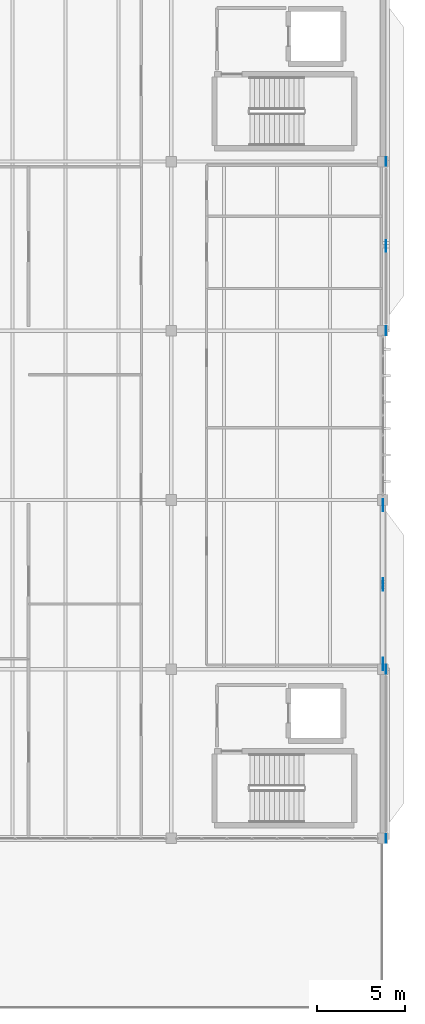
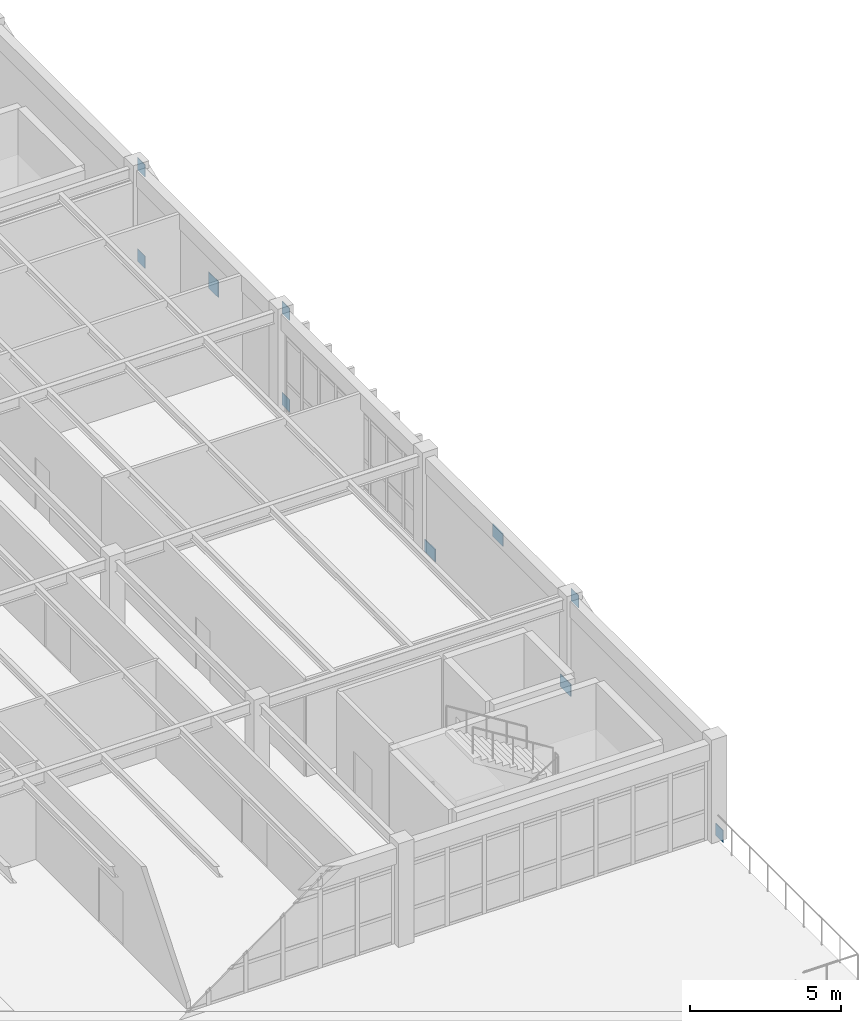
# One storey, part 30 of 37: 10 plates.
"""IFC4 building model written with IfcOpenShell, lengths in metres."""

from ifc_helpers import new_model, si_unit, direction, frame, origin, origin_2d, place, context, subcontext, project, spatial, rectangle, extrude, material, layer, layer_set, type_object, element, save


model = new_model("IFC4")

# Units and contexts
model_context = context("Model", 3, precision=1e-05, world=origin(), true_north=direction((0.0, 1.0)))
body_context = subcontext(model_context, "Body", "Model", "MODEL_VIEW")
ifc_project = project(units=[si_unit("LENGTHUNIT", "METRE"), si_unit("AREAUNIT", "SQUARE_METRE"), si_unit("VOLUMEUNIT", "CUBIC_METRE"), si_unit("PLANEANGLEUNIT", "RADIAN"), si_unit("MASSUNIT", "GRAM", prefix="KILO")], contexts=[model_context])

# Site, building, storey
site_placement = place(None, origin())
site = spatial("IfcSite", under=ifc_project, at=site_placement, CompositionType="ELEMENT")
building_placement = place(site_placement, origin())
building = spatial("IfcBuilding", under=site, at=building_placement, Name="Pandanus Reach Market Hall", CompositionType="ELEMENT")
storey_placement = place(building_placement, frame((0.0, 0.0, 14.39990234375)))
storey = spatial("IfcBuildingStorey", under=building, at=storey_placement, Name="L03", CompositionType="ELEMENT", Elevation=14.39990234375)

# Plates
ifc_material = material(Name="Steel Grade 350 (350 MPa)", Category="steel")
ifc_layer_1 = layer(ifc_material, 0.02001953125, Name="GS-PL20")
ifc_layer_set_1 = layer_set([ifc_layer_1], Name="Steel Grade 350 (350 MPa)")
plate_type_1 = type_object("IfcPlateType", Name="GS-PL20", PredefinedType="SHEET", material=ifc_layer_set_1)
for number, where, z_axis, x_axis, name in (
    (1, (180.179931640625, 28.800048828125, -0.14990234375), (0.0, 0.0, 1.0), (1.0, 0.0, 0.0), "Diagrid rib end anchorage plate GS-PL20 5A"),
    (2, (180.179931640625, 38.39990234375, 3.550048828125), (0.0, 0.0, 1.0), (1.0, 0.0, 0.0), "Diagrid rib end anchorage plate GS-PL20 5B"),
    (3, (180.179931640625, 67.199951171875, -0.14990234375), (0.0, 0.0, 1.0), (1.0, 0.0, 0.0), "Diagrid rib end anchorage plate GS-PL20 6A"),
    (4, (180.179931640625, 57.60009765625, -0.14990234375), (0.0, 0.0, 1.0), (1.0, 0.0, 0.0), "Diagrid rib end anchorage plate GS-PL20 7A"),
    (5, (180.179931640625, 67.199951171875, 3.550048828125), (0.0, 0.0, 1.0), (1.0, 0.0, 0.0), "Diagrid rib end anchorage plate GS-PL20 7B"),
    (6, (180.179931640625, 57.60009765625, 3.550048828125), (0.0, 0.0, 1.0), (1.0, 0.0, 0.0), "Diagrid rib end anchorage plate GS-PL20 9B"),
):
    element("IfcPlate", number, at=place(storey_placement, frame(where, z_axis=z_axis, x_axis=x_axis)), inside=storey, type_object=plate_type_1, Name=name, PredefinedType="SHEET", context=body_context, shape_type="SweptSolid", body=[
        extrude(rectangle(XDim=0.02001953125, YDim=0.5, at=origin_2d()), origin(), (0.0, 0.0, 1.0), 0.5),
    ])
ifc_layer_2 = layer(ifc_material, 0.028076171875, Name="GS-PL28")
ifc_layer_set_2 = layer_set([ifc_layer_2], Name="Steel Grade 350 (350 MPa)")
plate_type_2 = type_object("IfcPlateType", Name="GS-PL28", PredefinedType="SHEET", material=ifc_layer_set_2)
plate_placement = place(storey_placement, frame((180.179931640625, 62.39990234375, 1.625244140625), z_axis=(0.0, 0.0, 1.0), x_axis=(1.0, 0.0, 0.0)))
element("IfcPlate", 7, at=plate_placement, inside=storey, type_object=plate_type_2, Name="X-brace crossing node gusset plate GS-PL28 01", PredefinedType="SHEET", context=body_context, shape_type="SweptSolid", body=[
    extrude(rectangle(XDim=0.028076171875, YDim=0.64990234375, at=origin_2d()), origin(), (0.0, 0.0, 1.0), 0.64990234375),
])
ifc_layer_3 = layer(ifc_material, 0.031982421875, Name="GS-PL32")
ifc_layer_set_3 = layer_set([ifc_layer_3], Name="Steel Grade 350 (350 MPa)")
plate_type_3 = type_object("IfcPlateType", Name="GS-PL32", PredefinedType="SHEET", material=ifc_layer_set_3)
for number, where, z_axis, x_axis, name in (
    (8, (180.0, 38.699951171875, -0.099853515625), (0.0, 0.0, 1.0), (0.0, 1.0, 0.0), "Brace gusset plate GS-PL32 15L"),
    (9, (180.0, 43.199951171875, 3.25), (0.0, 0.0, 1.0), (0.0, 1.0, 0.0), "Brace gusset plate GS-PL32 15M"),
    (10, (180.0, 47.699951171875, -0.099853515625), (0.0, 0.0, 1.0), (0.0, 1.0, 0.0), "Brace gusset plate GS-PL32 15R"),
):
    element("IfcPlate", number, at=place(storey_placement, frame(where, z_axis=z_axis, x_axis=x_axis)), inside=storey, type_object=plate_type_3, Name=name, PredefinedType="SHEET", context=body_context, shape_type="SweptSolid", body=[
        extrude(rectangle(XDim=0.699951171875, YDim=0.031982421875, at=origin_2d()), origin(), (0.0, 0.0, 1.0), 0.5),
    ])

save(model, "model.ifc")
